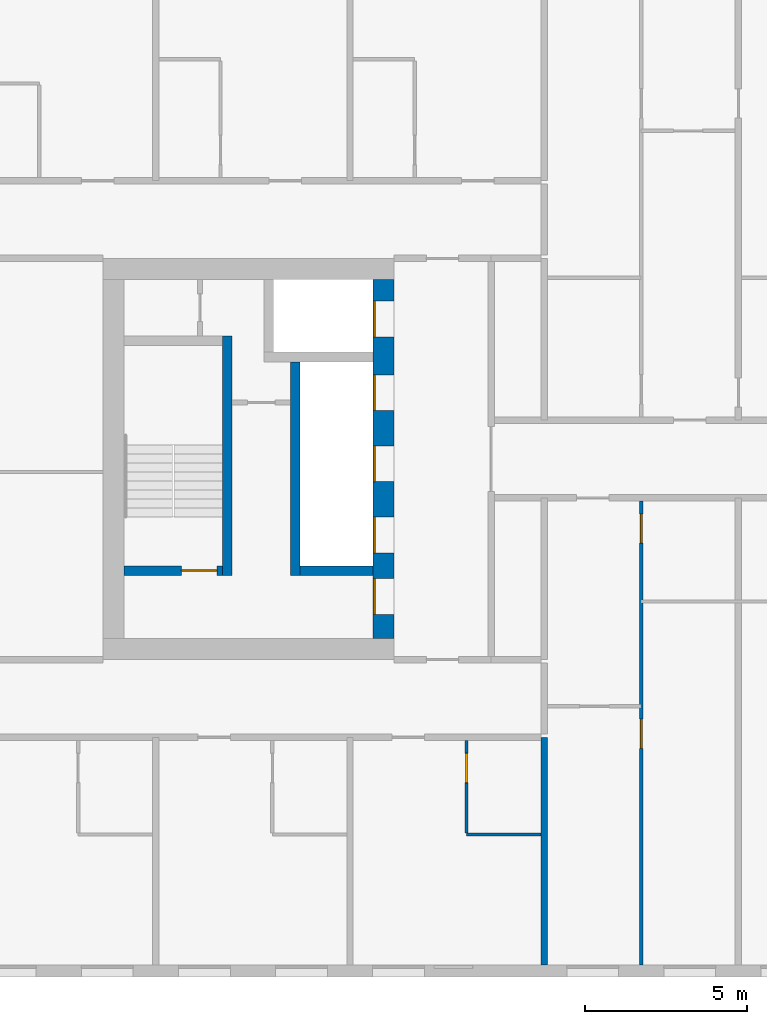
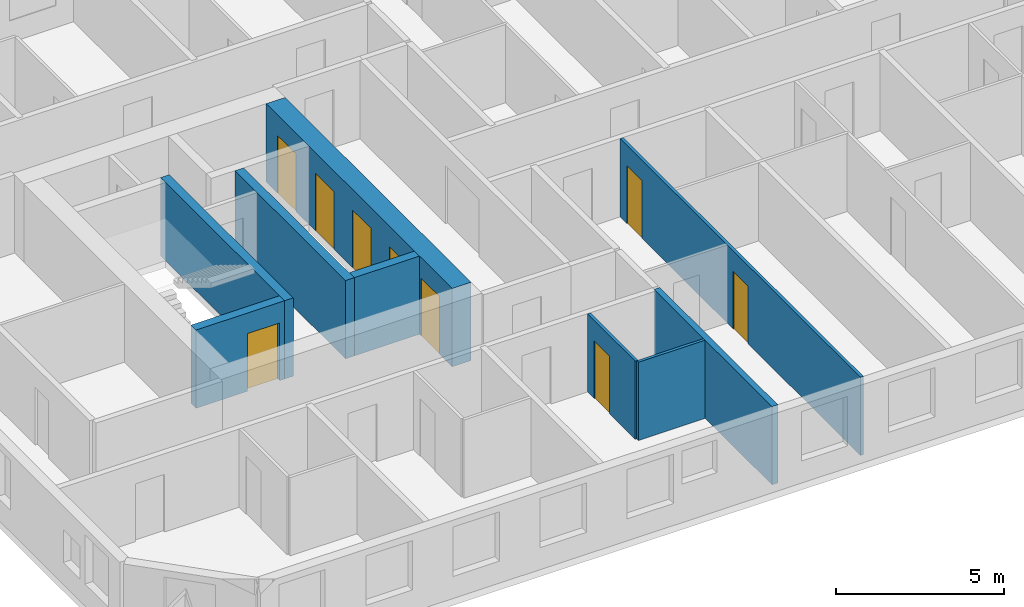
# One storey, part 3 of 17: 9 doors, 9 walls, 9 openings.
"""IFC4 building model written with IfcOpenShell, lengths in metres."""

from ifc_helpers import new_model, si_unit, direction, frame, frame_2d, origin, place, context, subcontext, project, spatial, rectangle, extrude, material, layer, layer_set, type_object, element, fill, save


model = new_model("IFC4")

# Units and contexts
model_context = context("Model", 3, precision=1e-05, world=origin(), true_north=direction((0.0, 1.0)))
body_context = subcontext(model_context, "Body", "Model", "MODEL_VIEW")
ifc_project = project(units=[si_unit("LENGTHUNIT", "METRE"), si_unit("AREAUNIT", "SQUARE_METRE"), si_unit("VOLUMEUNIT", "CUBIC_METRE"), si_unit("PLANEANGLEUNIT", "RADIAN"), si_unit("MASSUNIT", "GRAM", prefix="KILO")], contexts=[model_context])

# Site, building, storey
site_placement = place(None, origin())
site = spatial("IfcSite", under=ifc_project, at=site_placement, CompositionType="ELEMENT")
building_placement = place(site_placement, origin())
building = spatial("IfcBuilding", under=site, at=building_placement, Name="Tuart Gate Housing", CompositionType="ELEMENT")
storey_placement = place(building_placement, frame((0.0, 0.0, 108.800048828125)))
storey = spatial("IfcBuildingStorey", under=building, at=storey_placement, Name="L30", CompositionType="ELEMENT", Elevation=108.800048828125)

# Wall
ifc_material_1 = material(Name="Concrete C50", Category="concrete")
ifc_layer_1 = layer(ifc_material_1, 0.300048828125)
ifc_layer_set_1 = layer_set([ifc_layer_1], Name="Core wall 300 C50")
wall_type_1 = type_object("IfcWallType", Name="Core wall 300 C50", PredefinedType="SHEAR", material=ifc_layer_set_1)
wall_1_placement = place(storey_placement, frame((40.7099609375, 66.550048828125, 0.0), z_axis=(0.0, 0.0, 1.0), x_axis=(-1.0, 0.0, 0.0)))
element("IfcWall", 1, at=wall_1_placement, inside=storey, type_object=wall_type_1, Name="Core wall AK.4", PredefinedType="SHEAR", context=body_context, shape_type="SweptSolid", body=[
    extrude(rectangle(XDim=2.25, YDim=0.300048828125, at=frame_2d((1.125, 0.0))), origin(), (0.0, 0.0, 1.0), 2.849853515625),
])

# Wall, opening, door
wall_2_placement = place(storey_placement, frame((36.06005859375, 66.550048828125, 0.0), z_axis=(0.0, 0.0, 1.0), x_axis=(-1.0, 0.0, 0.0)))
wall_2 = element("IfcWall", 2, at=wall_2_placement, inside=storey, type_object=wall_type_1, Name="Core wall AK.5", PredefinedType="SHEAR", context=body_context, shape_type="SweptSolid", body=[
    extrude(rectangle(XDim=3.050048828125, YDim=0.300048828125, at=frame_2d((1.52490234375, 0.0))), origin(), (0.0, 0.0, 1.0), 2.849853515625),
])
opening_1_placement = place(wall_2_placement, frame((0.169921875, 0.0, 0.0)))
opening_1 = element("IfcOpeningElement", 3, at=opening_1_placement, cuts=wall_2, Name="Opening D1215", PredefinedType="OPENING", context=body_context, shape_type="SweptSolid", body=[
    extrude(rectangle(XDim=1.10009765625, YDim=2.10009765625, at=frame_2d((0.550048828125, 1.050048828125))), frame((0.0, 0.159912109375, 0.0), z_axis=(0.0, -1.0, 0.0), x_axis=(1.0, 0.0, 0.0)), (0.0, 0.0, 1.0), 0.320068359375),
])
ifc_material_2 = material(Name="Steel fire door", Category="steel")
door_type_1 = type_object("IfcDoorType", Name="Stair door 1100 x 2100 RH", OperationType="SINGLE_SWING_RIGHT", PredefinedType="DOOR", material=ifc_material_2)
door_1_placement = place(opening_1_placement, frame((1.10009765625, 0.0, 0.0), z_axis=(0.0, 0.0, 1.0), x_axis=(-1.0, 0.0, 0.0)))
door_1 = element("IfcDoor", 4, at=door_1_placement, inside=storey, type_object=door_type_1, Name="Stair door AK.SD", OperationType="SINGLE_SWING_RIGHT", OverallHeight=2.10009765625, OverallWidth=1.10009765625, PredefinedType="DOOR", context=body_context, shape_type="SweptSolid", body=[
    extrude(rectangle(XDim=1.10009765625, YDim=2.10009765625, at=frame_2d((0.550048828125, 1.050048828125))), frame((0.0, 0.025146484375, 0.0), z_axis=(0.0, -1.0, 0.0), x_axis=(1.0, 0.0, 0.0)), (0.0, 0.0, 1.0), 0.050048828125),
])
fill(opening_1, door_1)

# Walls
wall_3_placement = place(storey_placement, frame((38.31005859375, 73.0, 0.0), z_axis=(0.0, 0.0, 1.0), x_axis=(0.0, -1.0, 0.0)))
element("IfcWall", 5, at=wall_3_placement, inside=storey, type_object=wall_type_1, Name="Core wall AK.6", PredefinedType="SHEAR", context=body_context, shape_type="SweptSolid", body=[
    extrude(rectangle(XDim=6.60009765625, YDim=0.300048828125, at=frame_2d((3.300048828125, 0.0))), origin(), (0.0, 0.0, 1.0), 2.849853515625),
])
wall_4_placement = place(storey_placement, frame((36.2099609375, 73.800048828125, 0.0), z_axis=(0.0, 0.0, 1.0), x_axis=(0.0, -1.0, 0.0)))
element("IfcWall", 6, at=wall_4_placement, inside=storey, type_object=wall_type_1, Name="Core wall AK.8", PredefinedType="SHEAR", context=body_context, shape_type="SweptSolid", body=[
    extrude(rectangle(XDim=7.400146484375, YDim=0.300048828125, at=frame_2d((3.7001953125, 0.0))), origin(), (0.0, 0.0, 1.0), 2.849853515625),
])

# Wall, openings, doors
ifc_material_3 = material(Name="Concrete C50", Category="concrete")
ifc_layer_2 = layer(ifc_material_3, 0.64990234375)
ifc_layer_set_2 = layer_set([ifc_layer_2], Name="Core wall 650 C50")
wall_type_2 = type_object("IfcWallType", Name="Core wall 650 C50", PredefinedType="SHEAR", material=ifc_layer_set_2)
wall_5_placement = place(storey_placement, frame((41.034912109375, 75.550048828125, 0.0), z_axis=(0.0, 0.0, 1.0), x_axis=(0.0, -1.0, 0.0)))
wall_5 = element("IfcWall", 7, at=wall_5_placement, inside=storey, type_object=wall_type_2, Name="Core wall AK front", PredefinedType="SHEAR", context=body_context, shape_type="SweptSolid", body=[
    extrude(rectangle(XDim=11.10009765625, YDim=0.64990234375, at=frame_2d((5.550048828125, 0.0))), origin(), (0.0, 0.0, 1.0), 2.849853515625),
])
opening_2_placement = place(wall_5_placement, frame((0.675048828125, 0.0, 0.0)))
opening_2 = element("IfcOpeningElement", 8, at=opening_2_placement, cuts=wall_5, Name="Opening LD-FA2", PredefinedType="OPENING", context=body_context, shape_type="SweptSolid", body=[
    extrude(rectangle(XDim=1.10009765625, YDim=2.10009765625, at=frame_2d((0.550048828125, 1.050048828125))), frame((0.0, 0.3349609375, 0.0), z_axis=(0.0, -1.0, 0.0), x_axis=(1.0, 0.0, 0.0)), (0.0, 0.0, 1.0), 0.669921875),
])
opening_3_placement = place(wall_5_placement, frame((2.949951171875, 0.0, 0.0)))
opening_3 = element("IfcOpeningElement", 9, at=opening_3_placement, cuts=wall_5, Name="Opening LD-LA4", PredefinedType="OPENING", context=body_context, shape_type="SweptSolid", body=[
    extrude(rectangle(XDim=1.10009765625, YDim=2.10009765625, at=frame_2d((0.550048828125, 1.050048828125))), frame((0.0, 0.3349609375, 0.0), z_axis=(0.0, -1.0, 0.0), x_axis=(1.0, 0.0, 0.0)), (0.0, 0.0, 1.0), 0.669921875),
])
opening_4_placement = place(wall_5_placement, frame((5.14990234375, 0.0, 0.0)))
opening_4 = element("IfcOpeningElement", 10, at=opening_4_placement, cuts=wall_5, Name="Opening LD-LA5", PredefinedType="OPENING", context=body_context, shape_type="SweptSolid", body=[
    extrude(rectangle(XDim=1.10009765625, YDim=2.10009765625, at=frame_2d((0.550048828125, 1.050048828125))), frame((0.0, 0.3349609375, 0.0), z_axis=(0.0, -1.0, 0.0), x_axis=(1.0, 0.0, 0.0)), (0.0, 0.0, 1.0), 0.669921875),
])
opening_5_placement = place(wall_5_placement, frame((7.35009765625, 0.0, 0.0)))
opening_5 = element("IfcOpeningElement", 11, at=opening_5_placement, cuts=wall_5, Name="Opening LD-LA6", PredefinedType="OPENING", context=body_context, shape_type="SweptSolid", body=[
    extrude(rectangle(XDim=1.10009765625, YDim=2.10009765625, at=frame_2d((0.550048828125, 1.050048828125))), frame((0.0, 0.3349609375, 0.0), z_axis=(0.0, -1.0, 0.0), x_axis=(1.0, 0.0, 0.0)), (0.0, 0.0, 1.0), 0.669921875),
])
opening_6_placement = place(wall_5_placement, frame((9.25, 0.0, 0.0)))
opening_6 = element("IfcOpeningElement", 12, at=opening_6_placement, cuts=wall_5, Name="Opening D1207", PredefinedType="OPENING", context=body_context, shape_type="SweptSolid", body=[
    extrude(rectangle(XDim=1.10009765625, YDim=2.10009765625, at=frame_2d((0.550048828125, 1.050048828125))), frame((0.0, 0.3349609375, 0.0), z_axis=(0.0, -1.0, 0.0), x_axis=(1.0, 0.0, 0.0)), (0.0, 0.0, 1.0), 0.669921875),
])
ifc_material_4 = material(Name="Stainless steel", Category="steel")
door_type_2 = type_object("IfcDoorType", Name="Landing door 1100 x 2100", OperationType="DOUBLE_DOOR_SLIDING", PredefinedType="DOOR", material=ifc_material_4)
door_2_placement = place(opening_2_placement, origin())
door_2 = element("IfcDoor", 13, at=door_2_placement, inside=storey, type_object=door_type_2, Name="Lift landing door FA2", OperationType="DOUBLE_DOOR_SLIDING", OverallHeight=2.10009765625, OverallWidth=1.10009765625, PredefinedType="DOOR", context=body_context, shape_type="SweptSolid", body=[
    extrude(rectangle(XDim=1.10009765625, YDim=2.10009765625, at=frame_2d((0.550048828125, 1.050048828125))), frame((0.0, -0.259765625, 0.0), z_axis=(0.0, -1.0, 0.0), x_axis=(1.0, 0.0, 0.0)), (0.0, 0.0, 1.0), 0.050048828125),
])
fill(opening_2, door_2)
door_3_placement = place(opening_3_placement, origin())
door_3 = element("IfcDoor", 14, at=door_3_placement, inside=storey, type_object=door_type_2, Name="Lift landing door LA4", OperationType="DOUBLE_DOOR_SLIDING", OverallHeight=2.10009765625, OverallWidth=1.10009765625, PredefinedType="DOOR", context=body_context, shape_type="SweptSolid", body=[
    extrude(rectangle(XDim=1.10009765625, YDim=2.10009765625, at=frame_2d((0.550048828125, 1.050048828125))), frame((0.0, -0.259765625, 0.0), z_axis=(0.0, -1.0, 0.0), x_axis=(1.0, 0.0, 0.0)), (0.0, 0.0, 1.0), 0.050048828125),
])
fill(opening_3, door_3)
door_4_placement = place(opening_4_placement, origin())
door_4 = element("IfcDoor", 15, at=door_4_placement, inside=storey, type_object=door_type_2, Name="Lift landing door LA5", OperationType="DOUBLE_DOOR_SLIDING", OverallHeight=2.10009765625, OverallWidth=1.10009765625, PredefinedType="DOOR", context=body_context, shape_type="SweptSolid", body=[
    extrude(rectangle(XDim=1.10009765625, YDim=2.10009765625, at=frame_2d((0.550048828125, 1.050048828125))), frame((0.0, -0.259765625, 0.0), z_axis=(0.0, -1.0, 0.0), x_axis=(1.0, 0.0, 0.0)), (0.0, 0.0, 1.0), 0.050048828125),
])
fill(opening_4, door_4)
door_5_placement = place(opening_5_placement, origin())
door_5 = element("IfcDoor", 16, at=door_5_placement, inside=storey, type_object=door_type_2, Name="Lift landing door LA6", OperationType="DOUBLE_DOOR_SLIDING", OverallHeight=2.10009765625, OverallWidth=1.10009765625, PredefinedType="DOOR", context=body_context, shape_type="SweptSolid", body=[
    extrude(rectangle(XDim=1.10009765625, YDim=2.10009765625, at=frame_2d((0.550048828125, 1.050048828125))), frame((0.0, -0.259765625, 0.0), z_axis=(0.0, -1.0, 0.0), x_axis=(1.0, 0.0, 0.0)), (0.0, 0.0, 1.0), 0.050048828125),
])
fill(opening_5, door_5)
ifc_material_5 = material(Name="Steel fire door", Category="steel")
door_type_3 = type_object("IfcDoorType", Name="Lobby door 1100 x 2100 RH", OperationType="SINGLE_SWING_RIGHT", PredefinedType="DOOR", material=ifc_material_5)
door_6_placement = place(opening_6_placement, frame((1.10009765625, 0.0, 0.0), z_axis=(0.0, 0.0, 1.0), x_axis=(-1.0, 0.0, 0.0)))
door_6 = element("IfcDoor", 17, at=door_6_placement, inside=storey, type_object=door_type_3, Name="Lobby entry door AK.EN", OperationType="SINGLE_SWING_RIGHT", OverallHeight=2.10009765625, OverallWidth=1.10009765625, PredefinedType="DOOR", context=body_context, shape_type="SweptSolid", body=[
    extrude(rectangle(XDim=1.10009765625, YDim=2.10009765625, at=frame_2d((0.550048828125, 1.050048828125))), frame((0.0, 0.309814453125, 0.0), z_axis=(0.0, -1.0, 0.0), x_axis=(1.0, 0.0, 0.0)), (0.0, 0.0, 1.0), 0.050048828125),
])
fill(opening_6, door_6)

# Wall
ifc_material_6 = material(Name="Gypsum board on steel studs", Category="steel")
ifc_layer_3 = layer(ifc_material_6, 0.10009765625)
ifc_layer_set_3 = layer_set([ifc_layer_3], Name="Partition 100")
wall_type_3 = type_object("IfcWallType", Name="Partition 100", PredefinedType="PARTITIONING", material=ifc_layer_set_3)
wall_6_placement = place(storey_placement, frame((43.60009765625, 58.39990234375, 0.0), z_axis=(0.0, 0.0, 1.0), x_axis=(1.0, 0.0, 0.0)))
element("IfcWall", 18, at=wall_6_placement, inside=storey, type_object=wall_type_3, Name="Partition 100", PredefinedType="PARTITIONING", context=body_context, shape_type="SweptSolid", body=[
    extrude(rectangle(XDim=2.2998046875, YDim=0.10009765625, at=frame_2d((1.14990234375, 0.0))), origin(), (0.0, 0.0, 1.0), 2.849853515625),
])

# Wall, opening, door
wall_7_placement = place(storey_placement, frame((43.60009765625, 58.449951171875, 0.0), z_axis=(0.0, 0.0, 1.0), x_axis=(0.0, 1.0, 0.0)))
wall_7 = element("IfcWall", 19, at=wall_7_placement, inside=storey, type_object=wall_type_3, Name="Partition 100", PredefinedType="PARTITIONING", context=body_context, shape_type="SweptSolid", body=[
    extrude(rectangle(XDim=2.85009765625, YDim=0.10009765625, at=frame_2d((1.425048828125, 0.0))), origin(), (0.0, 0.0, 1.0), 2.849853515625),
])
opening_7_placement = place(wall_7_placement, frame((1.550048828125, 0.0, 0.0)))
opening_7 = element("IfcOpeningElement", 20, at=opening_7_placement, cuts=wall_7, Name="Opening D1234", PredefinedType="OPENING", context=body_context, shape_type="SweptSolid", body=[
    extrude(rectangle(XDim=0.89990234375, YDim=2.10009765625, at=frame_2d((0.449951171875, 1.050048828125))), frame((0.0, 0.06005859375, 0.0), z_axis=(0.0, -1.0, 0.0), x_axis=(1.0, 0.0, 0.0)), (0.0, 0.0, 1.0), 0.1201171875),
])
ifc_material_7 = material(Name="Timber door leaf in steel frame", Category="steel")
door_type_4 = type_object("IfcDoorType", Name="Bathroom door 900", OperationType="SINGLE_SWING_LEFT", PredefinedType="DOOR", material=ifc_material_7)
door_7_placement = place(opening_7_placement, frame((0.89990234375, 0.0, 0.0), z_axis=(0.0, 0.0, 1.0), x_axis=(-1.0, 0.0, 0.0)))
door_7 = element("IfcDoor", 21, at=door_7_placement, inside=storey, type_object=door_type_4, Name="Bathroom door", OperationType="SINGLE_SWING_LEFT", OverallHeight=2.10009765625, OverallWidth=0.89990234375, PredefinedType="DOOR", context=body_context, shape_type="SweptSolid", body=[
    extrude(rectangle(XDim=0.89990234375, YDim=2.10009765625, at=frame_2d((0.449951171875, 1.050048828125))), frame((0.0, 0.025146484375, 0.0), z_axis=(0.0, -1.0, 0.0), x_axis=(1.0, 0.0, 0.0)), (0.0, 0.0, 1.0), 0.050048828125),
])
fill(opening_7, door_7)

# Wall, openings, doors
wall_8_placement = place(storey_placement, frame((49.0, 54.360107421875, 0.0), z_axis=(0.0, 0.0, 1.0), x_axis=(0.0, 1.0, 0.0)))
wall_8 = element("IfcWall", 22, at=wall_8_placement, inside=storey, type_object=wall_type_3, Name="Partition 100", PredefinedType="PARTITIONING", context=body_context, shape_type="SweptSolid", body=[
    extrude(rectangle(XDim=14.33984375, YDim=0.10009765625, at=frame_2d((7.169921875, 0.0))), origin(), (0.0, 0.0, 1.0), 2.849853515625),
])
opening_8_placement = place(wall_8_placement, frame((6.699951171875, 0.0, 0.0)))
opening_8 = element("IfcOpeningElement", 23, at=opening_8_placement, cuts=wall_8, Name="Opening D1221", PredefinedType="OPENING", context=body_context, shape_type="SweptSolid", body=[
    extrude(rectangle(XDim=0.89990234375, YDim=2.10009765625, at=frame_2d((0.449951171875, 1.050048828125))), frame((0.0, 0.06005859375, 0.0), z_axis=(0.0, -1.0, 0.0), x_axis=(1.0, 0.0, 0.0)), (0.0, 0.0, 1.0), 0.1201171875),
])
opening_9_placement = place(wall_8_placement, frame((13.0400390625, 0.0, 0.0)))
opening_9 = element("IfcOpeningElement", 24, at=opening_9_placement, cuts=wall_8, Name="Opening D1220", PredefinedType="OPENING", context=body_context, shape_type="SweptSolid", body=[
    extrude(rectangle(XDim=0.89990234375, YDim=2.10009765625, at=frame_2d((0.449951171875, 1.050048828125))), frame((0.0, 0.06005859375, 0.0), z_axis=(0.0, -1.0, 0.0), x_axis=(1.0, 0.0, 0.0)), (0.0, 0.0, 1.0), 0.1201171875),
])
door_8_placement = place(opening_9_placement, frame((0.89990234375, 0.0, 0.0), z_axis=(0.0, 0.0, 1.0), x_axis=(-1.0, 0.0, 0.0)))
door_8 = element("IfcDoor", 25, at=door_8_placement, inside=storey, type_object=door_type_4, Name="Bathroom door", OperationType="SINGLE_SWING_LEFT", OverallHeight=2.10009765625, OverallWidth=0.89990234375, PredefinedType="DOOR", context=body_context, shape_type="SweptSolid", body=[
    extrude(rectangle(XDim=0.89990234375, YDim=2.10009765625, at=frame_2d((0.449951171875, 1.050048828125))), frame((0.0, 0.025146484375, 0.0), z_axis=(0.0, -1.0, 0.0), x_axis=(1.0, 0.0, 0.0)), (0.0, 0.0, 1.0), 0.050048828125),
])
fill(opening_9, door_8)
ifc_material_8 = material(Name="Timber door leaf in steel frame", Category="steel")
door_type_5 = type_object("IfcDoorType", Name="Internal door 900", OperationType="SINGLE_SWING_LEFT", PredefinedType="DOOR", material=ifc_material_8)
door_9_placement = place(opening_8_placement, frame((0.89990234375, 0.0, 0.0), z_axis=(0.0, 0.0, 1.0), x_axis=(-1.0, 0.0, 0.0)))
door_9 = element("IfcDoor", 26, at=door_9_placement, inside=storey, type_object=door_type_5, Name="Internal door", OperationType="SINGLE_SWING_LEFT", OverallHeight=2.10009765625, OverallWidth=0.89990234375, PredefinedType="DOOR", context=body_context, shape_type="SweptSolid", body=[
    extrude(rectangle(XDim=0.89990234375, YDim=2.10009765625, at=frame_2d((0.449951171875, 1.050048828125))), frame((0.0, 0.025146484375, 0.0), z_axis=(0.0, -1.0, 0.0), x_axis=(1.0, 0.0, 0.0)), (0.0, 0.0, 1.0), 0.050048828125),
])
fill(opening_8, door_9)

# Wall
ifc_material_9 = material(Name="Concrete C40", Category="concrete")
ifc_layer_4 = layer(ifc_material_9, 0.199951171875)
ifc_layer_set_4 = layer_set([ifc_layer_4], Name="Party wall concrete C40 200")
wall_type_4 = type_object("IfcWallType", Name="Party wall concrete C40 200", PredefinedType="SOLIDWALL", material=ifc_layer_set_4)
wall_9_placement = place(storey_placement, frame((46.0, 54.360107421875, 0.0), z_axis=(0.0, 0.0, 1.0), x_axis=(0.0, 1.0, 0.0)))
element("IfcWall", 27, at=wall_9_placement, inside=storey, type_object=wall_type_4, Name="Party wall concrete C40 200", PredefinedType="SOLIDWALL", context=body_context, shape_type="SweptSolid", body=[
    extrude(rectangle(XDim=7.039794921875, YDim=0.199951171875, at=frame_2d((3.52001953125, 0.0))), origin(), (0.0, 0.0, 1.0), 2.849853515625),
])

save(model, "model.ifc")
